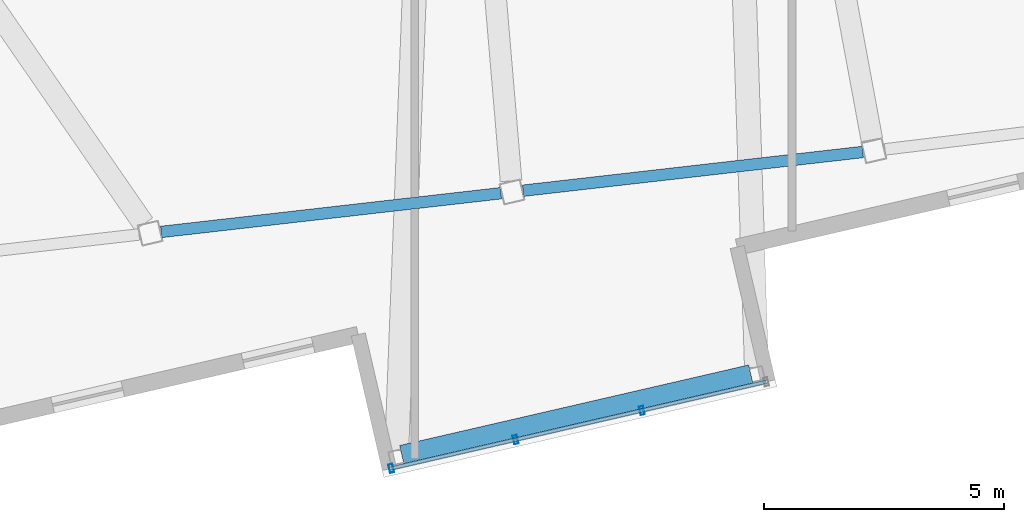
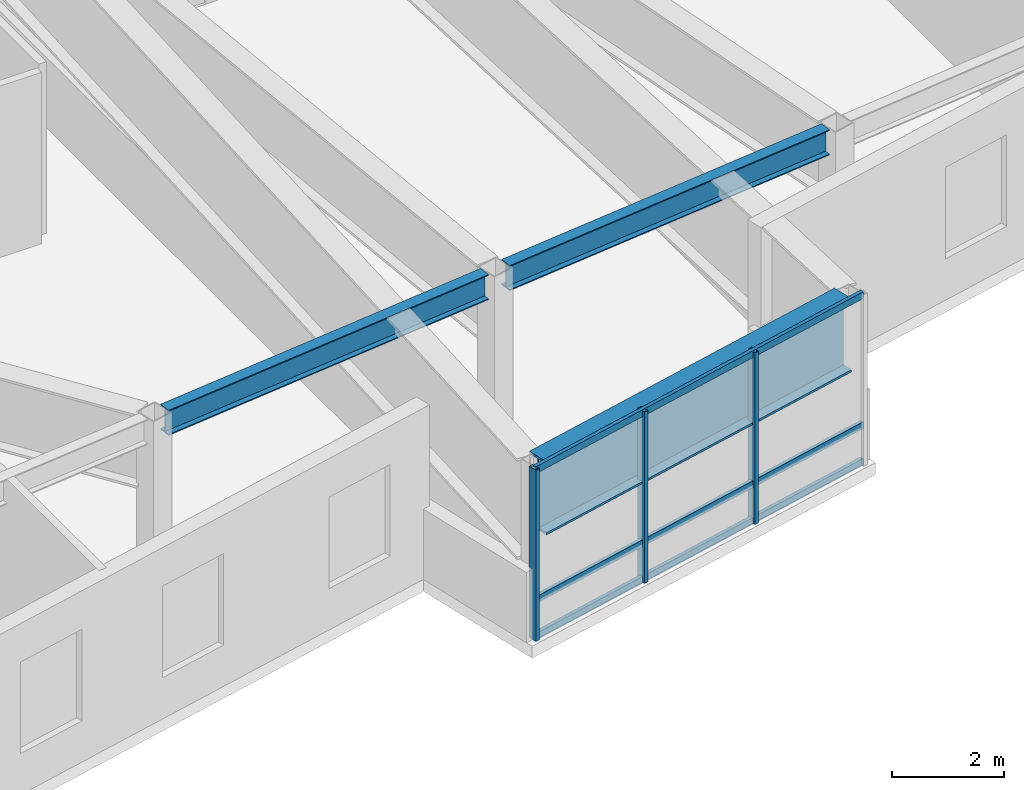
# One storey, part 6 of 23: 6 members, 3 beams, 1 element without a shape of its own.
"""IFC4 building model written with IfcOpenShell, lengths in metres."""

from ifc_helpers import new_model, si_unit, direction, frame, origin, origin_2d, place, context, subcontext, project, spatial, hollow_rectangle, i_section, extrude, material, layer, layer_set, material_profile, profile_set, type_object, element, aggregate, save


model = new_model("IFC4")

# Units and contexts
model_context = context("Model", 3, precision=1e-05, world=origin(), true_north=direction((0.0, 1.0)))
body_context = subcontext(model_context, "Body", "Model", "MODEL_VIEW")
ifc_project = project(units=[si_unit("LENGTHUNIT", "METRE"), si_unit("AREAUNIT", "SQUARE_METRE"), si_unit("VOLUMEUNIT", "CUBIC_METRE"), si_unit("PLANEANGLEUNIT", "RADIAN"), si_unit("MASSUNIT", "GRAM", prefix="KILO")], contexts=[model_context])

# Site, building, storey
site_placement = place(None, origin())
site = spatial("IfcSite", under=ifc_project, at=site_placement, CompositionType="ELEMENT")
building_placement = place(site_placement, origin())
building = spatial("IfcBuilding", under=site, at=building_placement, Name="Tavrogorsk Clinical Tower", CompositionType="ELEMENT")
storey_placement = place(building_placement, frame((0.0, 0.0, 277.0)))
storey = spatial("IfcBuildingStorey", under=building, at=storey_placement, Name="L64", CompositionType="ELEMENT", Elevation=277.0)

# Curtain wall, members
ifc_material_1 = material(Name="Anodised aluminium and triple IGU glazing", Category="aluminium")
ifc_layer = layer(ifc_material_1, 0.179931640625)
ifc_layer_set = layer_set([ifc_layer], Name="Anodised aluminium and triple IGU glazing")
curtain_wall_type = type_object("IfcCurtainWallType", Name="CW4_DayroomBox", PredefinedType="NOTDEFINED", material=ifc_layer_set)
curtain_wall_placement = place(storey_placement, origin())
curtain_wall = element("IfcCurtainWall", 1, at=curtain_wall_placement, inside=storey, type_object=curtain_wall_type, Name="L64 Curtain Wall CW-DRB-09-L64", PredefinedType="NOTDEFINED")
ifc_material_2 = material(Name="Anodised aluminium alloy AW-6060", Category="aluminium")
ifc_material_profile_1 = material_profile(ifc_material_2, hollow_rectangle(XDim=0.090087890625, YDim=0.179931640625, WallThickness=0.00634765625, at=origin_2d()), Name="RHS-180x90x6.3")
ifc_profile_set_1 = profile_set([ifc_material_profile_1], Name="Anodised aluminium alloy AW-6060")
member_type_1 = type_object("IfcMemberType", Name="CwMullion_180x90", PredefinedType="MULLION", material=ifc_profile_set_1)
member_1_placement = place(storey_placement, frame((-11.306640625, -29.92431640625, 0.0), z_axis=(0.0, 0.0, 1.0), x_axis=(0.974370055311, 0.224951095379, 0.0)))
member_1 = element("IfcMember", 2, at=member_1_placement, type_object=member_type_1, Name="CW-DRB-09-L64 Mullion 1", PredefinedType="MULLION", context=body_context, shape_type="SweptSolid", body=[
    extrude(hollow_rectangle(XDim=0.090087890625, YDim=0.179931640625, WallThickness=0.00634765625, at=origin_2d()), origin(), (0.0, 0.0, 1.0), 3.739990234375),
])
member_2_placement = place(storey_placement, frame((-8.7197265625, -29.3271484375, 0.0), z_axis=(0.0, 0.0, 1.0), x_axis=(0.974370055311, 0.224951095379, 0.0)))
member_2 = element("IfcMember", 3, at=member_2_placement, type_object=member_type_1, Name="CW-DRB-09-L64 Mullion 2", PredefinedType="MULLION", context=body_context, shape_type="SweptSolid", body=[
    extrude(hollow_rectangle(XDim=0.090087890625, YDim=0.179931640625, WallThickness=0.00634765625, at=origin_2d()), origin(), (0.0, 0.0, 1.0), 3.739990234375),
])
member_3_placement = place(storey_placement, frame((-6.0888671875, -28.7197265625, 0.0), z_axis=(0.0, 0.0, 1.0), x_axis=(0.974370055311, 0.224951095379, 0.0)))
member_3 = element("IfcMember", 4, at=member_3_placement, type_object=member_type_1, Name="CW-DRB-09-L64 Mullion 3", PredefinedType="MULLION", context=body_context, shape_type="SweptSolid", body=[
    extrude(hollow_rectangle(XDim=0.090087890625, YDim=0.179931640625, WallThickness=0.00634765625, at=origin_2d()), origin(), (0.0, 0.0, 1.0), 3.739990234375),
])
ifc_material_3 = material(Name="Anodised aluminium alloy AW-6060", Category="aluminium")
ifc_material_profile_2 = material_profile(ifc_material_3, hollow_rectangle(XDim=0.074951171875, YDim=0.14990234375, WallThickness=0.0048828125, at=origin_2d()), Name="RHS-150x75x5")
ifc_profile_set_2 = profile_set([ifc_material_profile_2], Name="Anodised aluminium alloy AW-6060")
member_type_2 = type_object("IfcMemberType", Name="CwTransom_150x75", PredefinedType="USERDEFINED", material=ifc_profile_set_2)
member_4_placement = place(storey_placement, frame((-11.306640625, -29.92431640625, 0.050048828125), z_axis=(0.974372699143, 0.224939643383, 0.0), x_axis=(-0.224939643383, 0.974372699143, 0.0)))
member_4 = element("IfcMember", 5, at=member_4_placement, type_object=member_type_2, Name="CW-DRB-09-L64 Transom 1", ObjectType="TRANSOM", PredefinedType="USERDEFINED", context=body_context, shape_type="SweptSolid", body=[
    extrude(hollow_rectangle(XDim=0.074951171875, YDim=0.14990234375, WallThickness=0.0048828125, at=origin_2d()), origin(), (0.0, 0.0, 1.0), 8.010009765625),
])
member_5_placement = place(storey_placement, frame((-11.306640625, -29.92431640625, 0.85009765625), z_axis=(0.974372699143, 0.224939643383, 0.0), x_axis=(-0.224939643383, 0.974372699143, 0.0)))
member_5 = element("IfcMember", 6, at=member_5_placement, type_object=member_type_2, Name="CW-DRB-09-L64 Transom 2", ObjectType="TRANSOM", PredefinedType="USERDEFINED", context=body_context, shape_type="SweptSolid", body=[
    extrude(hollow_rectangle(XDim=0.074951171875, YDim=0.14990234375, WallThickness=0.0048828125, at=origin_2d()), origin(), (0.0, 0.0, 1.0), 8.010009765625),
])
member_6_placement = place(storey_placement, frame((-11.306640625, -29.92431640625, 3.68994140625), z_axis=(0.974372699143, 0.224939643383, 0.0), x_axis=(-0.224939643383, 0.974372699143, 0.0)))
member_6 = element("IfcMember", 7, at=member_6_placement, type_object=member_type_2, Name="CW-DRB-09-L64 Transom 3", ObjectType="TRANSOM", PredefinedType="USERDEFINED", context=body_context, shape_type="SweptSolid", body=[
    extrude(hollow_rectangle(XDim=0.074951171875, YDim=0.14990234375, WallThickness=0.0048828125, at=origin_2d()), origin(), (0.0, 0.0, 1.0), 8.010009765625),
])
aggregate(curtain_wall, [member_1, member_2, member_3, member_4, member_5, member_6])

# Beams
ifc_material_4 = material(Name="Structural steel S390", Category="steel")
ifc_material_profile_3 = material_profile(ifc_material_4, i_section(OverallWidth=0.239990234375, OverallDepth=0.550048828125, WebThickness=0.013916015625, FlangeThickness=0.02197265625, at=origin_2d()), Name="B-550x240x14x22")
ifc_profile_set_3 = profile_set([ifc_material_profile_3], Name="Structural steel S390")
beam_type_1 = type_object("IfcBeamType", Name="SpandrelBeam_B550", PredefinedType="SPANDREL", material=ifc_profile_set_3)
for number, where, z_axis, x_axis, name in (
    (8, (-16.098876953125, -25.000732421875, 3.465087890625), (0.993572073137, 0.113201305126, 0.0), (-0.113201305126, 0.993572073137, 0.0), "L64 Perimeter Spandrel S2-S3"),
    (9, (-8.5625, -24.14208984375, 3.465087890625), (0.993572073137, 0.113201305126, 0.0), (-0.113201305126, 0.993572073137, 0.0), "L64 Perimeter Spandrel S3-S4"),
):
    element("IfcBeam", number, at=place(storey_placement, frame(where, z_axis=z_axis, x_axis=x_axis)), inside=storey, type_object=beam_type_1, Name=name, PredefinedType="SPANDREL", context=body_context, shape_type="SweptSolid", body=[
        extrude(i_section(OverallWidth=0.239990234375, OverallDepth=0.550048828125, WebThickness=0.013916015625, FlangeThickness=0.02197265625, at=origin_2d()), origin(), (0.0, 0.0, 1.0), 7.119140625),
    ])
ifc_material_5 = material(Name="Structural steel S440", Category="steel")
ifc_material_profile_4 = material_profile(ifc_material_5, i_section(OverallWidth=0.449951171875, OverallDepth=1.60009765625, WebThickness=0.031982421875, FlangeThickness=0.050048828125, at=origin_2d()), Name="DK-1600x450x32x50")
ifc_profile_set_4 = profile_set([ifc_material_profile_4], Name="Structural steel S440")
beam_type_2 = type_object("IfcBeamType", Name="TransferGirder_DK1600", PredefinedType="USERDEFINED", material=ifc_profile_set_4)
beam_placement = place(storey_placement, frame((-11.083740234375, -29.667724609375, 2.93994140625), z_axis=(0.974367472721, 0.224962281513, 0.0), x_axis=(-0.224962281513, 0.974367472721, 0.0)))
element("IfcBeam", 10, at=beam_placement, inside=storey, type_object=beam_type_2, Name="L64 Day-Room Front Edge Beam DRB-09", ObjectType="GIRDER", PredefinedType="USERDEFINED", context=body_context, shape_type="SweptSolid", body=[
    extrude(i_section(OverallWidth=0.449951171875, OverallDepth=1.60009765625, WebThickness=0.031982421875, FlangeThickness=0.050048828125, at=origin_2d()), origin(), (0.0, 0.0, 1.0), 7.4599609375),
])

save(model, "model.ifc")
